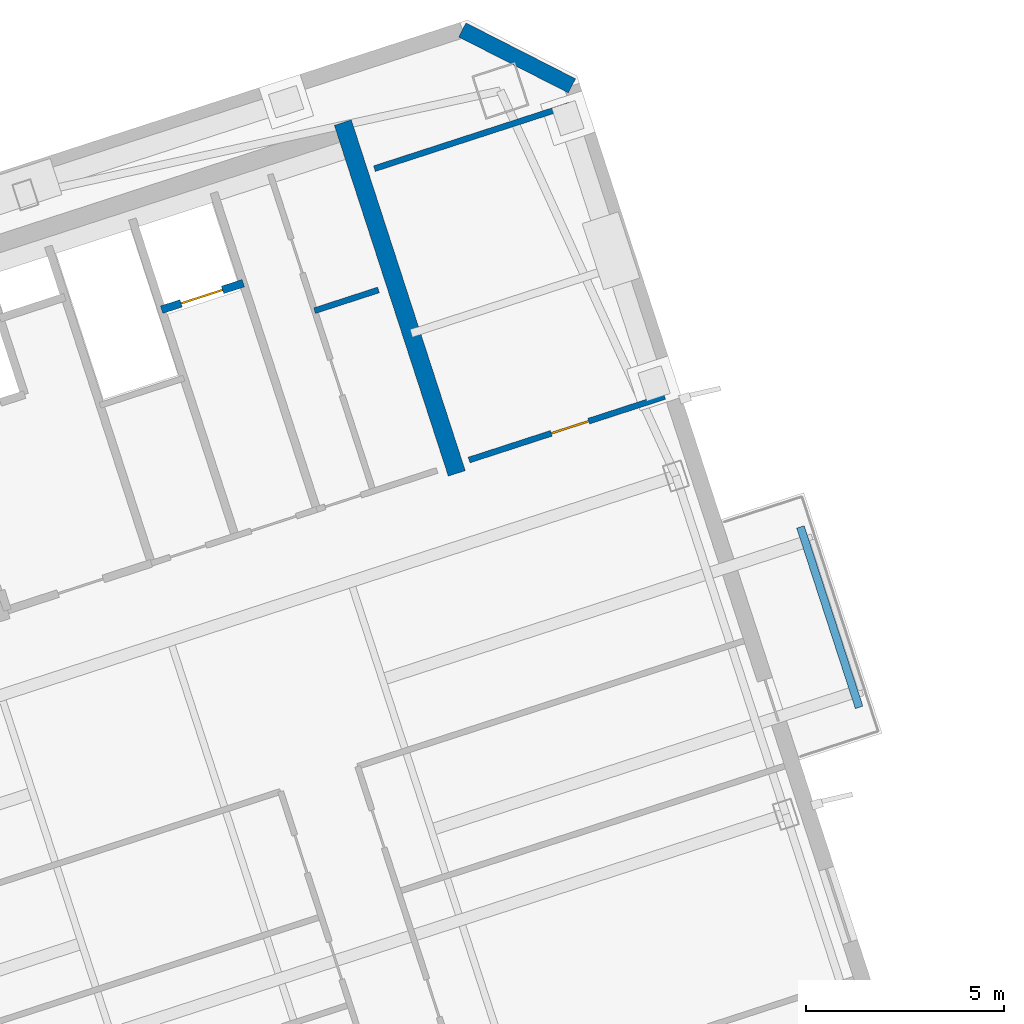
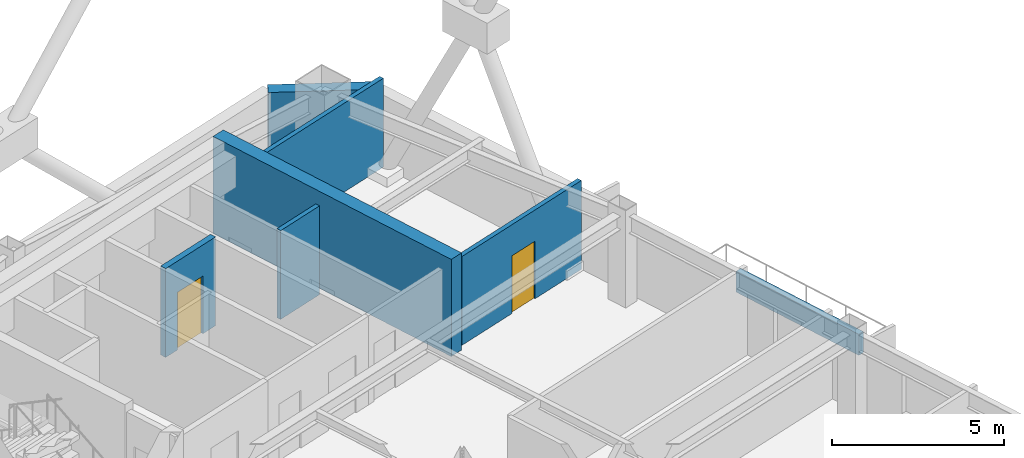
# One storey, part 11 of 18: 7 walls, 2 doors, 2 openings.
"""IFC4 building model written with IfcOpenShell, lengths in metres."""

from ifc_helpers import new_model, si_unit, direction, frame, frame_2d, origin, place, context, subcontext, project, spatial, rectangle, extrude, material, layer, layer_set, type_object, element, fill, save


model = new_model("IFC4")

# Units and contexts
model_context = context("Model", 3, precision=1e-05, world=origin(), true_north=direction((0.0, 1.0)))
body_context = subcontext(model_context, "Body", "Model", "MODEL_VIEW")
ifc_project = project(units=[si_unit("LENGTHUNIT", "METRE"), si_unit("AREAUNIT", "SQUARE_METRE"), si_unit("VOLUMEUNIT", "CUBIC_METRE"), si_unit("PLANEANGLEUNIT", "RADIAN"), si_unit("MASSUNIT", "GRAM", prefix="KILO")], contexts=[model_context])

# Site, building, storey
site_placement = place(None, origin())
site = spatial("IfcSite", under=ifc_project, at=site_placement, CompositionType="ELEMENT")
building_placement = place(site_placement, origin())
building = spatial("IfcBuilding", under=site, at=building_placement, Name="Qiaolan Cultural Towers", CompositionType="ELEMENT")
storey_placement = place(building_placement, frame((0.0, 0.0, 226.550048828125)))
storey = spatial("IfcBuildingStorey", under=building, at=storey_placement, Name="L61", CompositionType="ELEMENT", Elevation=226.550048828125)

# Walls
ifc_material_1 = material(Name="Concrete C50", Category="concrete")
ifc_layer_1 = layer(ifc_material_1, 0.449951171875)
ifc_layer_set_1 = layer_set([ifc_layer_1], Name="Concrete C50")
wall_type_1 = type_object("IfcWallType", Name="WL-CORE-450", PredefinedType="SHEAR", material=ifc_layer_set_1)
wall_1_placement = place(storey_placement, frame((94.468994140625, 46.781494140625, 0.0), z_axis=(0.0, 0.0, 1.0), x_axis=(-0.309004419953, 0.951060601881, 0.0)))
element("IfcWall", 1, at=wall_1_placement, inside=storey, type_object=wall_type_1, Name="L61 T2-CN East Core Shear Wall", PredefinedType="SHEAR", context=body_context, shape_type="SweptSolid", body=[
    extrude(rectangle(XDim=9.330078125, YDim=0.449951171875, at=frame_2d((4.6650390625, 0.0))), origin(), (0.0, 0.0, 1.0), 3.449951171875),
])
ifc_material_2 = material(Name="Precast Concrete C50 Honed Stone Pier", Category="masonry")
ifc_layer_2 = layer(ifc_material_2, 0.39990234375)
ifc_layer_set_2 = layer_set([ifc_layer_2], Name="Precast Concrete C50 Honed Stone Pier")
wall_type_2 = type_object("IfcWallType", Name="WL-EXT-PIER-400", PredefinedType="SOLIDWALL", material=ifc_layer_set_2)
wall_2_placement = place(storey_placement, frame((94.609619140625, 57.9990234375, 0.0), z_axis=(0.0, 0.0, 1.0), x_axis=(0.890979603174, -0.454043331334, 0.0)))
element("IfcWall", 2, at=wall_2_placement, inside=storey, type_object=wall_type_2, Name="L61 East Tower Precast Pier Facade Wall F4", PredefinedType="SOLIDWALL", context=body_context, shape_type="SweptSolid", body=[
    extrude(rectangle(XDim=3.111083984375, YDim=0.39990234375, at=frame_2d((1.5556640625, 0.0))), origin(), (0.0, 0.0, 1.0), 2.550048828125),
])

# Wall, opening, door
ifc_material_3 = material(Name="Concrete C35 Fire Wall", Category="concrete")
ifc_layer_3 = layer(ifc_material_3, 0.199951171875)
ifc_layer_set_3 = layer_set([ifc_layer_3], Name="Concrete C35 Fire Wall")
wall_type_3 = type_object("IfcWallType", Name="WL-FIRE-200", PredefinedType="PARTITIONING", material=ifc_layer_set_3)
wall_3_placement = place(storey_placement, frame((87.004150390625, 50.92236328125, 0.0), z_axis=(0.0, 0.0, 1.0), x_axis=(0.951041509718, 0.309063176055, 0.0)))
wall_3 = element("IfcWall", 3, at=wall_3_placement, inside=storey, type_object=wall_type_3, Name="L61 T2-CN Shuttle Lift Shaft Front", PredefinedType="PARTITIONING", context=body_context, shape_type="SweptSolid", body=[
    extrude(rectangle(XDim=2.169921875, YDim=0.199951171875, at=frame_2d((1.0849609375, 0.0))), origin(), (0.0, 0.0, 1.0), 3.155029296875),
])
opening_1_placement = place(wall_3_placement, frame((0.52001953125, 0.0, 0.0)))
opening_1 = element("IfcOpeningElement", 4, at=opening_1_placement, cuts=wall_3, Name="Opening LD-01", PredefinedType="OPENING", context=body_context, shape_type="SweptSolid", body=[
    extrude(rectangle(XDim=1.10009765625, YDim=2.050048828125, at=frame_2d((0.550048828125, 1.02490234375))), frame((0.0, 0.10986328125, 0.0), z_axis=(0.0, -1.0, 0.0), x_axis=(1.0, 0.0, 0.0)), (0.0, 0.0, 1.0), 0.219970703125),
])
ifc_material_4 = material(Name="Brushed Stainless Steel S30408 Centre-Parting Lift Landing Door", Category="steel")
door_type_1 = type_object("IfcDoorType", Name="DR-LIFT-1100", OperationType="NOTDEFINED", PredefinedType="DOOR", material=ifc_material_4)
door_1_placement = place(opening_1_placement, origin())
door_1 = element("IfcDoor", 5, at=door_1_placement, inside=storey, type_object=door_type_1, Name="L61 Sky Shuttle Lift Landing Door", OperationType="DOUBLE_DOOR_SLIDING", OverallHeight=2.050048828125, OverallWidth=1.10009765625, PredefinedType="DOOR", context=body_context, shape_type="SweptSolid", body=[
    extrude(rectangle(XDim=1.10009765625, YDim=2.050048828125, at=frame_2d((0.550048828125, 1.02490234375))), frame((0.0, 0.02490234375, 0.0), z_axis=(0.0, -1.0, 0.0), x_axis=(1.0, 0.0, 0.0)), (0.0, 0.0, 1.0), 0.050048828125),
])
fill(opening_1, door_1)

# Walls
ifc_material_5 = material(Name="Autoclaved Aerated Concrete Block B06", Category="concrete")
ifc_layer_4 = layer(ifc_material_5, 0.14990234375)
ifc_layer_set_4 = layer_set([ifc_layer_4], Name="Autoclaved Aerated Concrete Block B06")
wall_type_4 = type_object("IfcWallType", Name="WL-PART-150", PredefinedType="PARTITIONING", material=ifc_layer_set_4)
wall_4_placement = place(storey_placement, frame((90.871337890625, 50.896240234375, 0.0), z_axis=(0.0, 0.0, 1.0), x_axis=(0.951054116971, 0.309024378638, 0.0)))
element("IfcWall", 6, at=wall_4_placement, inside=storey, type_object=wall_type_4, Name="L61 T2-CN First-Aid Wall", PredefinedType="PARTITIONING", context=body_context, shape_type="SweptSolid", body=[
    extrude(rectangle(XDim=1.7001953125, YDim=0.14990234375, at=frame_2d((0.85009765625, 0.0))), origin(), (0.0, 0.0, 1.0), 3.155029296875),
])
wall_5_placement = place(storey_placement, frame((92.385009765625, 54.48974609375, 0.0), z_axis=(0.0, 0.0, 1.0), x_axis=(0.951055112834, 0.309021313752, 0.0)))
element("IfcWall", 7, at=wall_5_placement, inside=storey, type_object=wall_type_4, Name="L61 T2 Flank Wall FLK-NE", PredefinedType="PARTITIONING", context=body_context, shape_type="SweptSolid", body=[
    extrude(rectangle(XDim=5.2001953125, YDim=0.14990234375, at=frame_2d((2.60009765625, 0.0))), origin(), (0.0, 0.0, 1.0), 3.155029296875),
])

# Wall, opening, door
wall_6_placement = place(storey_placement, frame((94.77978515625, 47.119140625, 0.0), z_axis=(0.0, 0.0, 1.0), x_axis=(0.951055112834, 0.309021313752, 0.0)))
wall_6 = element("IfcWall", 8, at=wall_6_placement, inside=storey, type_object=wall_type_4, Name="L61 T2 Flank Front FLK-NE", PredefinedType="PARTITIONING", context=body_context, shape_type="SweptSolid", body=[
    extrude(rectangle(XDim=5.2001953125, YDim=0.14990234375, at=frame_2d((2.60009765625, 0.0))), origin(), (0.0, 0.0, 1.0), 3.155029296875),
])
opening_2_placement = place(wall_6_placement, frame((2.18408203125, 0.0, 0.0)))
opening_2 = element("IfcOpeningElement", 9, at=opening_2_placement, cuts=wall_6, Name="Opening ID-04", PredefinedType="OPENING", context=body_context, shape_type="SweptSolid", body=[
    extrude(rectangle(XDim=1.0, YDim=2.050048828125, at=frame_2d((0.5, 1.02490234375))), frame((0.0, 0.0849609375, 0.0), z_axis=(0.0, -1.0, 0.0), x_axis=(1.0, 0.0, 0.0)), (0.0, 0.0, 1.0), 0.169921875),
])
ifc_material_6 = material(Name="Oak Veneer Acoustic Office Door", Category="timber")
door_type_2 = type_object("IfcDoorType", Name="DR-INT-1000", OperationType="NOTDEFINED", PredefinedType="DOOR", material=ifc_material_6)
door_2_placement = place(opening_2_placement, origin())
door_2 = element("IfcDoor", 10, at=door_2_placement, inside=storey, type_object=door_type_2, Name="L61 T2 Corner Studio Door", OperationType="SINGLE_SWING_LEFT", OverallHeight=2.050048828125, OverallWidth=1.0, PredefinedType="DOOR", context=body_context, shape_type="SweptSolid", body=[
    extrude(rectangle(XDim=1.0, YDim=2.050048828125, at=frame_2d((0.5, 1.02490234375))), frame((0.0, 0.02490234375, 0.0), z_axis=(0.0, -1.0, 0.0), x_axis=(1.0, 0.0, 0.0)), (0.0, 0.0, 1.0), 0.050048828125),
])
fill(opening_2, door_2)

# Wall
ifc_material_7 = material(Name="Precast Concrete C45 Tree Planter Upstand", Category="concrete")
ifc_layer_5 = layer(ifc_material_7, 0.199951171875)
ifc_layer_set_5 = layer_set([ifc_layer_5], Name="Precast Concrete C45 Tree Planter Upstand")
wall_type_5 = type_object("IfcWallType", Name="WL-PLANTER-200", PredefinedType="PARAPET", material=ifc_layer_set_5)
wall_7_placement = place(storey_placement, frame((104.646484375, 40.86181640625, 0.0), z_axis=(0.0, 0.0, 1.0), x_axis=(-0.309032019345, 0.951051634255, 0.0)))
element("IfcWall", 11, at=wall_7_placement, inside=storey, type_object=wall_type_5, Name="L61 T2 Tree Balcony Soil Planter Box E", PredefinedType="PARAPET", context=body_context, shape_type="SweptSolid", body=[
    extrude(rectangle(XDim=4.800048828125, YDim=0.199951171875, at=frame_2d((2.39990234375, 0.0))), origin(), (0.0, 0.0, 1.0), 0.75),
])

save(model, "model.ifc")
